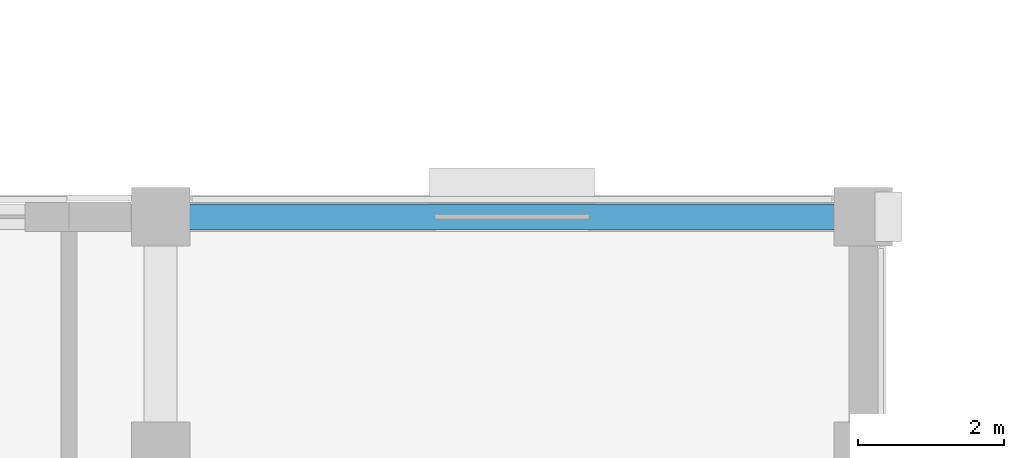
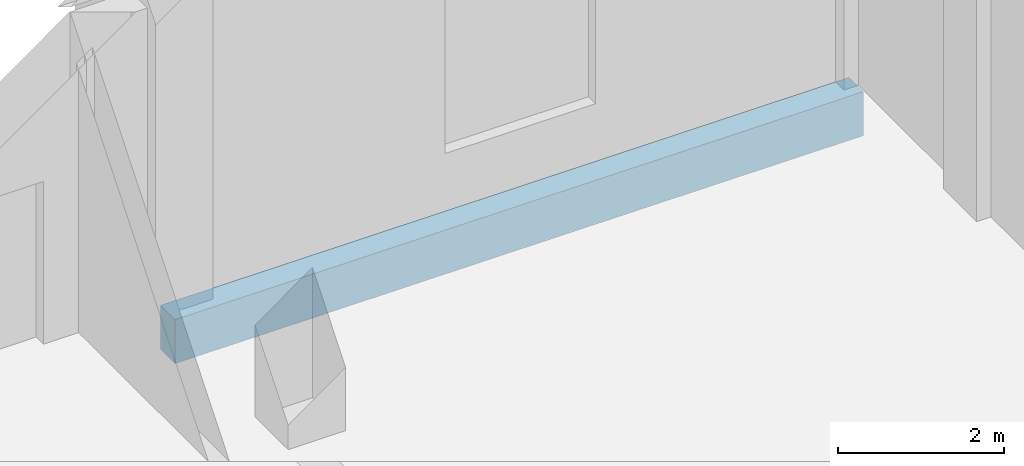
# One storey, part 72 of 137: 1 beam.
"""IFC4 building model written with IfcOpenShell, lengths in metres."""

from ifc_helpers import new_model, si_unit, direction, frame, origin, origin_2d, place, context, subcontext, project, spatial, rectangle, extrude, material, material_profile, profile_set, type_object, element, save


model = new_model("IFC4")

# Units and contexts
model_context = context("Model", 3, precision=1e-05, world=origin(), true_north=direction((0.0, 1.0)))
body_context = subcontext(model_context, "Body", "Model", "MODEL_VIEW")
ifc_project = project(units=[si_unit("LENGTHUNIT", "METRE"), si_unit("AREAUNIT", "SQUARE_METRE"), si_unit("VOLUMEUNIT", "CUBIC_METRE"), si_unit("PLANEANGLEUNIT", "RADIAN"), si_unit("MASSUNIT", "GRAM", prefix="KILO")], contexts=[model_context])

# Site, building, storey
site_placement = place(None, origin())
site = spatial("IfcSite", under=ifc_project, at=site_placement, CompositionType="ELEMENT")
building_placement = place(site_placement, origin())
building = spatial("IfcBuilding", under=site, at=building_placement, Name="Vondelvale Polytechnic", CompositionType="ELEMENT")
storey_placement = place(building_placement, origin())
storey = spatial("IfcBuildingStorey", under=building, at=storey_placement, Name="L00", CompositionType="ELEMENT", Elevation=0.0)

# Beam
ifc_material = material(Name="Precast concrete N40 (f'c = 40 MPa)", Category="concrete")
ifc_material_profile = material_profile(ifc_material, rectangle(XDim=0.35009765625, YDim=0.64990234375, at=origin_2d()), Name="RC-SPN-350x650")
ifc_profile_set = profile_set([ifc_material_profile], Name="Precast concrete N40 (f'c = 40 MPa)")
beam_type = type_object("IfcBeamType", Name="SPN-PRE350x650", PredefinedType="SPANDREL", material=ifc_profile_set)
beam_placement = place(storey_placement, frame((163.199951171875, 30.60009765625, -0.625), z_axis=(1.0, 0.0, 0.0), x_axis=(0.0, 1.0, 0.0)))
element("IfcBeam", 1, at=beam_placement, inside=storey, type_object=beam_type, Name="L00 B SP-02", PredefinedType="SPANDREL", context=body_context, shape_type="SweptSolid", body=[
    extrude(rectangle(XDim=0.35009765625, YDim=0.64990234375, at=origin_2d()), origin(), (0.0, 0.0, 1.0), 9.60009765625),
])

save(model, "model.ifc")
